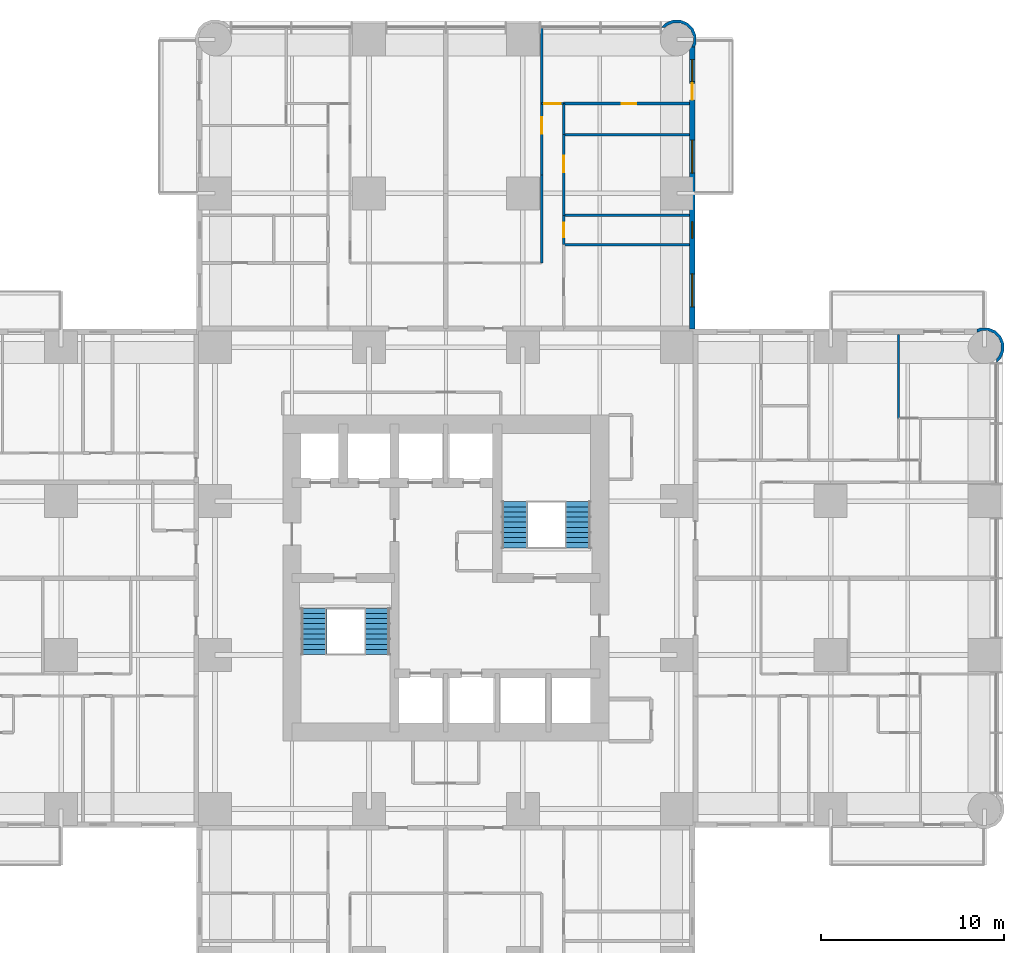
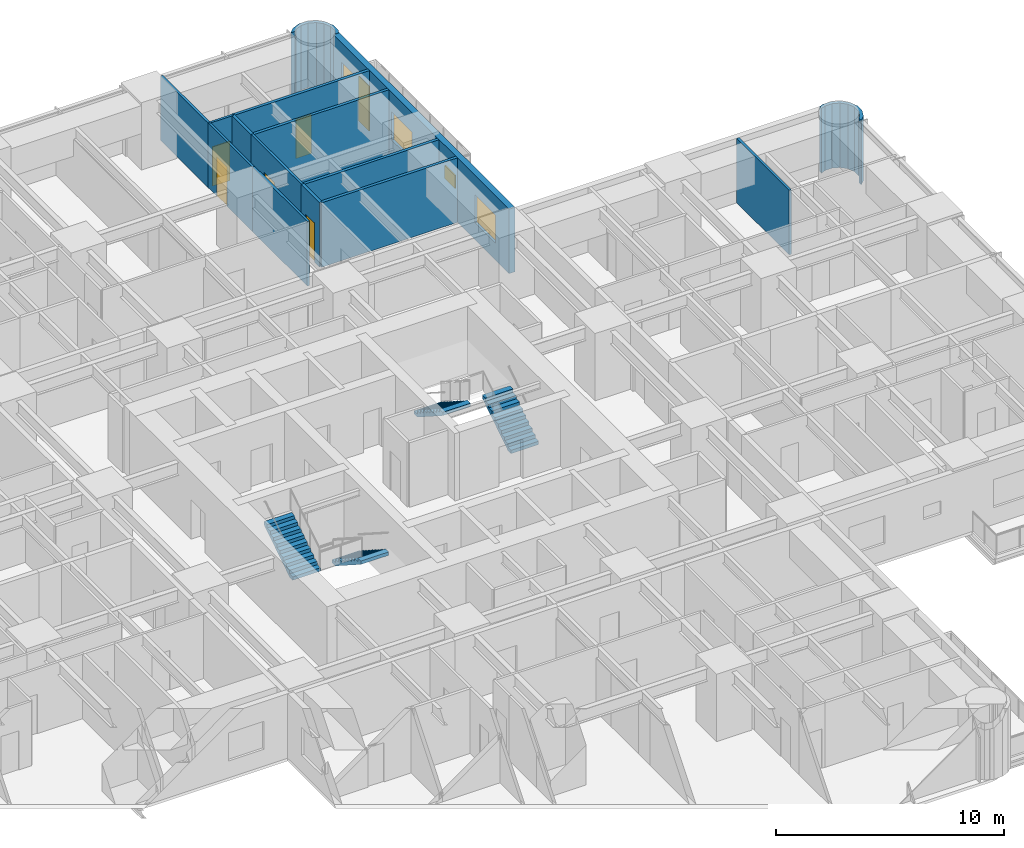
# One storey, part 15 of 17: 15 walls, 6 doors, 4 stair flights, 4 windows, 10 openings, 2 elements without a shape of their own.
"""IFC4 building model written with IfcOpenShell, lengths in metres."""

from ifc_helpers import new_model, si_unit, direction, frame, frame_2d, origin, place, context, subcontext, project, spatial, polyline, rectangle, outline, extrude, material, layer, layer_set, type_object, element, fill, aggregate, save


model = new_model("IFC4")

# Units and contexts
model_context = context("Model", 3, precision=1e-05, world=origin(), true_north=direction((0.0, 1.0)))
body_context = subcontext(model_context, "Body", "Model", "MODEL_VIEW")
ifc_project = project(units=[si_unit("LENGTHUNIT", "METRE"), si_unit("AREAUNIT", "SQUARE_METRE"), si_unit("VOLUMEUNIT", "CUBIC_METRE"), si_unit("PLANEANGLEUNIT", "RADIAN"), si_unit("MASSUNIT", "GRAM", prefix="KILO")], contexts=[model_context])

# Site, building, storey
site_placement = place(None, origin())
site = spatial("IfcSite", under=ifc_project, at=site_placement, CompositionType="ELEMENT")
building_placement = place(site_placement, origin())
building = spatial("IfcBuilding", under=site, at=building_placement, Name="Torre Alcanfor", CompositionType="ELEMENT")
storey_placement = place(building_placement, frame((0.0, 0.0, 48.89990234375)))
storey = spatial("IfcBuildingStorey", under=building, at=storey_placement, Name="L11", CompositionType="ELEMENT", Elevation=48.89990234375)

# Wall
ifc_material_1 = material(Name="Gypsum board on steel studs", Category="steel")
ifc_layer_1 = layer(ifc_material_1, 0.1201171875)
ifc_layer_set_1 = layer_set([ifc_layer_1], Name="Apartment partition 120")
wall_type_1 = type_object("IfcWallType", Name="Apartment partition 120", PredefinedType="PARTITIONING", material=ifc_layer_set_1)
wall_1_placement = place(storey_placement, frame((34.62890625, 51.39990234375, 0.0), z_axis=(0.0, 0.0, 1.0), x_axis=(0.0, -1.0, 0.0)))
element("IfcWall", 1, at=wall_1_placement, inside=storey, type_object=wall_type_1, Name="Partition L11-N2-KITCHEN / L11-N2-HALL", PredefinedType="PARTITIONING", context=body_context, shape_type="SweptSolid", body=[
    extrude(rectangle(XDim=4.7998046875, YDim=0.1201171875, at=frame_2d((2.39990234375, 0.0))), origin(), (0.0, 0.0, 1.0), 3.4501953125),
])

# Wall, opening, door
wall_2_placement = place(storey_placement, frame((34.62890625, 55.300048828125, 0.0), z_axis=(0.0, 0.0, 1.0), x_axis=(0.0, -1.0, 0.0)))
wall_2 = element("IfcWall", 2, at=wall_2_placement, inside=storey, type_object=wall_type_1, Name="Partition L11-N2-LIVING / L11-N2-HALL", PredefinedType="PARTITIONING", context=body_context, shape_type="SweptSolid", body=[
    extrude(rectangle(XDim=3.900146484375, YDim=0.1201171875, at=frame_2d((1.9501953125, 0.0))), origin(), (0.0, 0.0, 1.0), 3.4501953125),
])
opening_1_placement = place(wall_2_placement, frame((0.75, 0.0, 0.0)))
opening_1 = element("IfcOpeningElement", 3, at=opening_1_placement, cuts=wall_2, Name="Opening D-R1", PredefinedType="OPENING", context=body_context, shape_type="SweptSolid", body=[
    extrude(rectangle(XDim=0.89990234375, YDim=2.10009765625, at=frame_2d((0.449951171875, 1.050048828125))), frame((0.0, 0.070068359375, 0.0), z_axis=(0.0, -1.0, 0.0), x_axis=(1.0, 0.0, 0.0)), (0.0, 0.0, 1.0), 0.14013671875),
])
ifc_material_2 = material(Name="Timber", Category="wood")
door_type_1 = type_object("IfcDoorType", Name="Internal door 900x2100", OperationType="SINGLE_SWING_LEFT", PredefinedType="DOOR", material=ifc_material_2)
door_1_placement = place(opening_1_placement, frame((0.89990234375, 0.0, 0.0), z_axis=(0.0, 0.0, 1.0), x_axis=(-1.0, 0.0, 0.0)))
door_1 = element("IfcDoor", 4, at=door_1_placement, inside=storey, type_object=door_type_1, Name="Door L11-N2 living", OperationType="SINGLE_SWING_LEFT", OverallHeight=2.10009765625, OverallWidth=0.89990234375, PredefinedType="DOOR", context=body_context, shape_type="SweptSolid", body=[
    extrude(rectangle(XDim=0.89990234375, YDim=2.10009765625, at=frame_2d((0.449951171875, 1.050048828125))), frame((0.0, 0.025146484375, 0.0), z_axis=(0.0, -1.0, 0.0), x_axis=(1.0, 0.0, 0.0)), (0.0, 0.0, 1.0), 0.050048828125),
])
fill(opening_1, door_1)

# Wall
wall_3_placement = place(storey_placement, frame((34.62890625, 59.449951171875, 0.0), z_axis=(0.0, 0.0, 1.0), x_axis=(0.0, -1.0, 0.0)))
element("IfcWall", 5, at=wall_3_placement, inside=storey, type_object=wall_type_1, Name="Partition L11-N2-LIVING / L11-N2-MASTER", PredefinedType="PARTITIONING", context=body_context, shape_type="SweptSolid", body=[
    extrude(rectangle(XDim=4.14990234375, YDim=0.1201171875, at=frame_2d((2.074951171875, 0.0))), origin(), (0.0, 0.0, 1.0), 3.4501953125),
])

# Wall, opening, door
wall_4_placement = place(storey_placement, frame((35.8291015625, 53.60009765625, 0.0), z_axis=(0.0, 0.0, 1.0), x_axis=(0.0, -1.0, 0.0)))
wall_4 = element("IfcWall", 6, at=wall_4_placement, inside=storey, type_object=wall_type_1, Name="Partition L11-N2-HALL / L11-N2-BED2", PredefinedType="PARTITIONING", context=body_context, shape_type="SweptSolid", body=[
    extrude(rectangle(XDim=4.400146484375, YDim=0.1201171875, at=frame_2d((2.2001953125, 0.0))), origin(), (0.0, 0.0, 1.0), 3.4501953125),
])
opening_2_placement = place(wall_4_placement, frame((1.14990234375, 0.0, 0.0)))
opening_2 = element("IfcOpeningElement", 7, at=opening_2_placement, cuts=wall_4, Name="Opening D-R1", PredefinedType="OPENING", context=body_context, shape_type="SweptSolid", body=[
    extrude(rectangle(XDim=0.89990234375, YDim=2.10009765625, at=frame_2d((0.449951171875, 1.050048828125))), frame((0.0, 0.070068359375, 0.0), z_axis=(0.0, -1.0, 0.0), x_axis=(1.0, 0.0, 0.0)), (0.0, 0.0, 1.0), 0.14013671875),
])
door_2_placement = place(opening_2_placement, origin())
door_2 = element("IfcDoor", 8, at=door_2_placement, inside=storey, type_object=door_type_1, Name="Door L11-N2 bed2", OperationType="SINGLE_SWING_LEFT", OverallHeight=2.10009765625, OverallWidth=0.89990234375, PredefinedType="DOOR", context=body_context, shape_type="SweptSolid", body=[
    extrude(rectangle(XDim=0.89990234375, YDim=2.10009765625, at=frame_2d((0.449951171875, 1.050048828125))), frame((0.0, 0.02490234375, 0.0), z_axis=(0.0, -1.0, 0.0), x_axis=(1.0, 0.0, 0.0)), (0.0, 0.0, 1.0), 0.050048828125),
])
fill(opening_2, door_2)

wall_5_placement = place(storey_placement, frame((34.62890625, 55.300048828125, 0.0), z_axis=(0.0, 0.0, 1.0), x_axis=(1.0, 0.0, 0.0)))
wall_5 = element("IfcWall", 9, at=wall_5_placement, inside=storey, type_object=wall_type_1, Name="Partition L11-N2-HALL / L11-N2-MASTER", PredefinedType="PARTITIONING", context=body_context, shape_type="SweptSolid", body=[
    extrude(rectangle(XDim=1.2001953125, YDim=0.1201171875, at=frame_2d((0.60009765625, 0.0))), origin(), (0.0, 0.0, 1.0), 3.4501953125),
])
opening_3_placement = place(wall_5_placement, frame((0.15087890625, 0.0, 0.0)))
opening_3 = element("IfcOpeningElement", 10, at=opening_3_placement, cuts=wall_5, Name="Opening D-R1", PredefinedType="OPENING", context=body_context, shape_type="SweptSolid", body=[
    extrude(rectangle(XDim=0.89990234375, YDim=2.10009765625, at=frame_2d((0.449951171875, 1.050048828125))), frame((0.0, 0.070068359375, 0.0), z_axis=(0.0, -1.0, 0.0), x_axis=(1.0, 0.0, 0.0)), (0.0, 0.0, 1.0), 0.14013671875),
])
door_3_placement = place(opening_3_placement, origin())
door_3 = element("IfcDoor", 11, at=door_3_placement, inside=storey, type_object=door_type_1, Name="Door L11-N2 master", OperationType="SINGLE_SWING_LEFT", OverallHeight=2.10009765625, OverallWidth=0.89990234375, PredefinedType="DOOR", context=body_context, shape_type="SweptSolid", body=[
    extrude(rectangle(XDim=0.89990234375, YDim=2.10009765625, at=frame_2d((0.449951171875, 1.050048828125))), frame((0.0, 0.02490234375, 0.0), z_axis=(0.0, -1.0, 0.0), x_axis=(1.0, 0.0, 0.0)), (0.0, 0.0, 1.0), 0.050048828125),
])
fill(opening_3, door_3)

# Wall
wall_6_placement = place(storey_placement, frame((54.10009765625, 38.114013671875, 0.0), z_axis=(0.0, 0.0, 1.0), x_axis=(0.0, 1.0, 0.0)))
element("IfcWall", 12, at=wall_6_placement, inside=storey, type_object=wall_type_1, Name="Partition L11-E1-BED3 / L11-E1-MASTER", PredefinedType="PARTITIONING", context=body_context, shape_type="SweptSolid", body=[
    extrude(rectangle(XDim=4.5859375, YDim=0.1201171875, at=frame_2d((2.29296875, 0.0))), origin(), (0.0, 0.0, 1.0), 3.4501953125),
])

# Wall, openings, door, windows
ifc_material_3 = material(Name="Limestone cladding", Category="masonry")
ifc_layer_2 = layer(ifc_material_3, 0.0400390625, Name="Facing")
ifc_material_4 = material(Name="Ventilated air cavity")
ifc_layer_3 = layer(ifc_material_4, 0.02001953125, ventilated=True, Name="Ventilated joint")
ifc_material_5 = material(Name="Mineral wool insulation", Category="insulation")
ifc_layer_4 = layer(ifc_material_5, 0.10009765625, Name="Insulation")
ifc_material_6 = material(Name="Concrete f'c 35 MPa", Category="concrete")
ifc_layer_5 = layer(ifc_material_6, 0.139892578125, Name="Backing")
ifc_layer_set_2 = layer_set([ifc_layer_2, ifc_layer_3, ifc_layer_4, ifc_layer_5], Name="External wall stone-clad 300")
wall_type_2 = type_object("IfcWallType", Name="External wall stone-clad 300", PredefinedType="SOLIDWALL", material=ifc_layer_set_2)
wall_7_placement = place(storey_placement, frame((42.85009765625, 43.0, 0.0), z_axis=(0.0, 0.0, 1.0), x_axis=(0.0, 1.0, 0.0)))
wall_7 = element("IfcWall", 13, at=wall_7_placement, inside=storey, type_object=wall_type_2, Name="External wall L11 10", PredefinedType="SOLIDWALL", context=body_context, shape_type="SweptSolid", body=[
    extrude(rectangle(XDim=15.39990234375, YDim=0.300048828125, at=frame_2d((7.699951171875, 0.0))), origin(), (0.0, 0.0, 1.0), 3.4501953125),
])
opening_4_placement = place(wall_7_placement, frame((1.199951171875, 0.0, 0.89990234375)))
opening_4 = element("IfcOpeningElement", 14, at=opening_4_placement, cuts=wall_7, Name="Opening W2", PredefinedType="OPENING", context=body_context, shape_type="SweptSolid", body=[
    extrude(rectangle(XDim=1.800048828125, YDim=1.5, at=frame_2d((0.89990234375, 0.75))), frame((0.0, 0.159912109375, 0.0), z_axis=(0.0, -1.0, 0.0), x_axis=(1.0, 0.0, 0.0)), (0.0, 0.0, 1.0), 0.320068359375),
])
opening_5_placement = place(wall_7_placement, frame((4.949951171875, 0.0, 1.5)))
opening_5 = element("IfcOpeningElement", 15, at=opening_5_placement, cuts=wall_7, Name="Opening W3", PredefinedType="OPENING", context=body_context, shape_type="SweptSolid", body=[
    extrude(rectangle(XDim=0.89990234375, YDim=0.699951171875, at=frame_2d((0.449951171875, 0.35009765625))), frame((0.0, 0.159912109375, 0.0), z_axis=(0.0, -1.0, 0.0), x_axis=(1.0, 0.0, 0.0)), (0.0, 0.0, 1.0), 0.320068359375),
])
opening_6_placement = place(wall_7_placement, frame((8.5, 0.0, 0.89990234375)))
opening_6 = element("IfcOpeningElement", 16, at=opening_6_placement, cuts=wall_7, Name="Opening W2", PredefinedType="OPENING", context=body_context, shape_type="SweptSolid", body=[
    extrude(rectangle(XDim=1.800048828125, YDim=1.5, at=frame_2d((0.89990234375, 0.75))), frame((0.0, 0.159912109375, 0.0), z_axis=(0.0, -1.0, 0.0), x_axis=(1.0, 0.0, 0.0)), (0.0, 0.0, 1.0), 0.320068359375),
])
opening_7_placement = place(wall_7_placement, frame((12.5, 0.0, 0.0)))
opening_7 = element("IfcOpeningElement", 17, at=opening_7_placement, cuts=wall_7, Name="Opening D-B1", PredefinedType="OPENING", context=body_context, shape_type="SweptSolid", body=[
    extrude(rectangle(XDim=0.89990234375, YDim=2.39990234375, at=frame_2d((0.449951171875, 1.199951171875))), frame((0.0, 0.159912109375, 0.0), z_axis=(0.0, -1.0, 0.0), x_axis=(1.0, 0.0, 0.0)), (0.0, 0.0, 1.0), 0.320068359375),
])
opening_8_placement = place(wall_7_placement, frame((13.5, 0.0, 0.89990234375)))
opening_8 = element("IfcOpeningElement", 18, at=opening_8_placement, cuts=wall_7, Name="Opening W4", PredefinedType="OPENING", context=body_context, shape_type="SweptSolid", body=[
    extrude(rectangle(XDim=1.199951171875, YDim=1.5, at=frame_2d((0.60009765625, 0.75))), frame((0.0, 0.159912109375, 0.0), z_axis=(0.0, -1.0, 0.0), x_axis=(1.0, 0.0, 0.0)), (0.0, 0.0, 1.0), 0.320068359375),
])
ifc_material_7 = material(Name="Aluminium and glass", Category="aluminium")
door_type_2 = type_object("IfcDoorType", Name="Balcony door glazed 900x2400", OperationType="SINGLE_SWING_LEFT", PredefinedType="DOOR", material=ifc_material_7)
door_4_placement = place(opening_7_placement, origin())
door_4 = element("IfcDoor", 19, at=door_4_placement, inside=storey, type_object=door_type_2, Name="Balcony door L11-N2", OperationType="SINGLE_SWING_LEFT", OverallHeight=2.39990234375, OverallWidth=0.89990234375, PredefinedType="DOOR", context=body_context, shape_type="SweptSolid", body=[
    extrude(rectangle(XDim=0.89990234375, YDim=2.39990234375, at=frame_2d((0.449951171875, 1.199951171875))), frame((0.0, 0.02490234375, 0.0), z_axis=(0.0, -1.0, 0.0), x_axis=(1.0, 0.0, 0.0)), (0.0, 0.0, 1.0), 0.050048828125),
])
fill(opening_7, door_4)
ifc_material_8 = material(Name="Aluminium frame with clear double glazing", Category="aluminium")
window_type_1 = type_object("IfcWindowType", Name="Window bathroom 900x700", PartitioningType="SINGLE_PANEL", PredefinedType="WINDOW", material=ifc_material_8)
window_1_placement = place(opening_5_placement, origin())
window_1 = element("IfcWindow", 20, at=window_1_placement, inside=storey, type_object=window_type_1, Name="Window W3 L11-N2", OverallHeight=0.699951171875, OverallWidth=0.89990234375, PartitioningType="SINGLE_PANEL", PredefinedType="WINDOW", context=body_context, shape_type="SweptSolid", body=[
    extrude(rectangle(XDim=0.89990234375, YDim=0.699951171875, at=frame_2d((0.449951171875, 0.35009765625))), frame((0.0, 0.030029296875, 0.0), z_axis=(0.0, -1.0, 0.0), x_axis=(1.0, 0.0, 0.0)), (0.0, 0.0, 1.0), 0.06005859375),
])
fill(opening_5, window_1)
ifc_material_9 = material(Name="Aluminium frame with clear double glazing", Category="aluminium")
window_type_2 = type_object("IfcWindowType", Name="Window bedroom 1200x1500", PartitioningType="SINGLE_PANEL", PredefinedType="WINDOW", material=ifc_material_9)
window_2_placement = place(opening_8_placement, origin())
window_2 = element("IfcWindow", 21, at=window_2_placement, inside=storey, type_object=window_type_2, Name="Window W4 L11-N2", OverallHeight=1.5, OverallWidth=1.199951171875, PartitioningType="SINGLE_PANEL", PredefinedType="WINDOW", context=body_context, shape_type="SweptSolid", body=[
    extrude(rectangle(XDim=1.199951171875, YDim=1.5, at=frame_2d((0.60009765625, 0.75))), frame((0.0, 0.030029296875, 0.0), z_axis=(0.0, -1.0, 0.0), x_axis=(1.0, 0.0, 0.0)), (0.0, 0.0, 1.0), 0.06005859375),
])
fill(opening_8, window_2)
ifc_material_10 = material(Name="Aluminium frame with clear double glazing", Category="aluminium")
window_type_3 = type_object("IfcWindowType", Name="Window bedroom 1800x1500", PartitioningType="SINGLE_PANEL", PredefinedType="WINDOW", material=ifc_material_10)
window_3_placement = place(opening_4_placement, origin())
window_3 = element("IfcWindow", 22, at=window_3_placement, inside=storey, type_object=window_type_3, Name="Window W2 L11-N2", OverallHeight=1.5, OverallWidth=1.800048828125, PartitioningType="SINGLE_PANEL", PredefinedType="WINDOW", context=body_context, shape_type="SweptSolid", body=[
    extrude(rectangle(XDim=1.800048828125, YDim=1.5, at=frame_2d((0.89990234375, 0.75))), frame((0.0, 0.030029296875, 0.0), z_axis=(0.0, -1.0, 0.0), x_axis=(1.0, 0.0, 0.0)), (0.0, 0.0, 1.0), 0.06005859375),
])
fill(opening_4, window_3)
window_4_placement = place(opening_6_placement, origin())
window_4 = element("IfcWindow", 23, at=window_4_placement, inside=storey, type_object=window_type_3, Name="Window W2 L11-N2", OverallHeight=1.5, OverallWidth=1.800048828125, PartitioningType="SINGLE_PANEL", PredefinedType="WINDOW", context=body_context, shape_type="SweptSolid", body=[
    extrude(rectangle(XDim=1.800048828125, YDim=1.5, at=frame_2d((0.89990234375, 0.75))), frame((0.0, 0.030029296875, 0.0), z_axis=(0.0, -1.0, 0.0), x_axis=(1.0, 0.0, 0.0)), (0.0, 0.0, 1.0), 0.06005859375),
])
fill(opening_6, window_4)

# Walls
ifc_layer_6 = layer(ifc_material_3, 0.0400390625, Name="Facing")
ifc_layer_7 = layer(ifc_material_4, 0.02001953125, ventilated=True, Name="Ventilated joint")
ifc_layer_8 = layer(ifc_material_5, 0.10009765625, Name="Insulation")
ifc_layer_9 = layer(ifc_material_6, 0.139892578125, Name="Backing")
ifc_layer_set_3 = layer_set([ifc_layer_6, ifc_layer_7, ifc_layer_8, ifc_layer_9], Name="Rounded corner pier stone-clad 300")
wall_type_3 = type_object("IfcWallType", Name="Rounded corner pier stone-clad 300", PredefinedType="SOLIDWALL", material=ifc_layer_set_3)
wall_8_placement = place(storey_placement, frame((59.410519256, 41.23340608, 0.0), z_axis=(0.0, 0.0, 1.0), x_axis=(0.926129809145, 0.377204953059, 0.0)))
element("IfcWall", 24, at=wall_8_placement, inside=storey, type_object=wall_type_3, Name="Corner pier L11 18", PredefinedType="SOLIDWALL", context=body_context, shape_type="SweptSolid", body=[
    extrude(outline(polyline([(0.6260654471319579, 0.34524919711057256), (0.7850146045978224, 0.7355079985228963), (0.7823098124660501, 1.1573373086599013), (0.6187697625812524, 1.546081906916958), (0.31877691555394516, 1.8425152342918512), (-0.07170799176881437, 2.0015564828107086), (-0.24004949470661174, 2.000526523212158), (-0.2695944713928893, 2.0173049949130335), (-0.36998902843916337, 1.8407134525266757), (-0.10235758996356603, 1.8421635923174307), (0.22956588655630128, 1.7069739265237522), (0.4845024203782949, 1.4552530429107593), (0.6236098424040335, 1.1249645948716174), (0.6257138051575375, 0.7663837026280839), (0.49052413936385914, 0.43446022610821644), (0.23848505878743742, 0.1793896774287799), (0.09020527382959523, 0.11693875386038477), (0.010914877202648991, -0.0777384350249053), (0.02448123182880161, -0.08326389820448342), (0.32940601384662893, 0.045348441136258355), (0.47997135267738844, 0.19755163478368112), (0.49907282709518125, 0.19267151555903828), (0.5076193949673722, 0.22530566424262682), (0.6260654471319579, 0.34524919711057256)])), origin(), (0.0, 0.0, 1.0), 3.4501953125),
])
wall_9_placement = place(storey_placement, frame((42.909907157, 58.436037137, 0.0), z_axis=(0.0, 0.0, 1.0), x_axis=(0.377204953059, 0.926129809145, 0.0)))
element("IfcWall", 25, at=wall_9_placement, inside=storey, type_object=wall_type_3, Name="Corner pier L11 19", PredefinedType="SOLIDWALL", context=body_context, shape_type="SweptSolid", body=[
    extrude(outline(polyline([(0.7691852559267269, 1.7275655888693722), (0.7500837815089341, 1.7226854696447296), (0.5995184426781746, 1.8748886632921522), (0.2945936606603473, 2.0035010026328943), (0.2810273060341947, 1.997975539453316), (0.36031770266114094, 1.803298350568026), (0.5085974876189833, 1.7408474269996308), (0.7606365681954048, 1.4857768783201941), (0.8958262339890831, 1.1538534018003268), (0.8937222712355792, 0.7952725095567933), (0.7546148492098406, 0.46498406151765126), (0.499678315387847, 0.21326317790465843), (0.16775483886797962, 0.07807351211098004), (-0.09987659960761772, 0.07952365190173498), (0.0005179574386563676, -0.09706789048462287), (0.030062934124933945, -0.08028941878374739), (0.19840443706273136, -0.08131937838229769), (0.5888893443854909, 0.07772187013655965), (0.888882191412798, 0.3741551975114527), (1.0524222412975957, 0.7628997957685094), (1.0551270334293679, 1.1847291059055145), (0.8961778759635035, 1.5749879073178383), (0.7777318237989179, 1.6949314401857838), (0.7691852559267269, 1.7275655888693722)])), origin(), (0.0, 0.0, 1.0), 3.4501953125),
])

# Wall, opening, door
ifc_material_11 = material(Name="Cement board on steel studs", Category="steel")
ifc_layer_10 = layer(ifc_material_11, 0.14990234375)
ifc_layer_set_4 = layer_set([ifc_layer_10], Name="Wet area partition 150")
wall_type_4 = type_object("IfcWallType", Name="Wet area partition 150", PredefinedType="PARTITIONING", material=ifc_layer_set_4)
wall_10_placement = place(storey_placement, frame((35.8291015625, 49.199951171875, 0.0), z_axis=(0.0, 0.0, 1.0), x_axis=(0.0, -1.0, 0.0)))
wall_10 = element("IfcWall", 26, at=wall_10_placement, inside=storey, type_object=wall_type_4, Name="Partition L11-N2-HALL / L11-N2-BATH1", PredefinedType="PARTITIONING", context=body_context, shape_type="SweptSolid", body=[
    extrude(rectangle(XDim=1.599853515625, YDim=0.14990234375, at=frame_2d((0.7998046875, 0.0))), origin(), (0.0, 0.0, 1.0), 3.4501953125),
])
opening_9_placement = place(wall_10_placement, frame((0.39990234375, 0.0, 0.0)))
opening_9 = element("IfcOpeningElement", 27, at=opening_9_placement, cuts=wall_10, Name="Opening D-R2", PredefinedType="OPENING", context=body_context, shape_type="SweptSolid", body=[
    extrude(rectangle(XDim=0.800048828125, YDim=2.10009765625, at=frame_2d((0.39990234375, 1.050048828125))), frame((0.0, 0.0849609375, 0.0), z_axis=(0.0, -1.0, 0.0), x_axis=(1.0, 0.0, 0.0)), (0.0, 0.0, 1.0), 0.169921875),
])
ifc_material_12 = material(Name="Timber", Category="wood")
door_type_3 = type_object("IfcDoorType", Name="Bathroom door 800x2100", OperationType="SINGLE_SWING_LEFT", PredefinedType="DOOR", material=ifc_material_12)
door_5_placement = place(opening_9_placement, origin())
door_5 = element("IfcDoor", 28, at=door_5_placement, inside=storey, type_object=door_type_3, Name="Door L11-N2 bath1", OperationType="SINGLE_SWING_LEFT", OverallHeight=2.10009765625, OverallWidth=0.800048828125, PredefinedType="DOOR", context=body_context, shape_type="SweptSolid", body=[
    extrude(rectangle(XDim=0.800048828125, YDim=2.10009765625, at=frame_2d((0.39990234375, 1.050048828125))), frame((0.0, 0.02490234375, 0.0), z_axis=(0.0, -1.0, 0.0), x_axis=(1.0, 0.0, 0.0)), (0.0, 0.0, 1.0), 0.050048828125),
])
fill(opening_9, door_5)

# Walls
wall_11_placement = place(storey_placement, frame((35.8291015625, 55.300048828125, 0.0), z_axis=(0.0, 0.0, 1.0), x_axis=(0.0, -1.0, 0.0)))
element("IfcWall", 29, at=wall_11_placement, inside=storey, type_object=wall_type_4, Name="Partition L11-N2-HALL / L11-N2-ENSBATH", PredefinedType="PARTITIONING", context=body_context, shape_type="SweptSolid", body=[
    extrude(rectangle(XDim=1.699951171875, YDim=0.14990234375, at=frame_2d((0.85009765625, 0.0))), origin(), (0.0, 0.0, 1.0), 3.4501953125),
])
for number, where, z_axis, x_axis, name in (
    (30, (35.8291015625, 47.60009765625, 0.0), (0.0, 0.0, 1.0), (1.0, 0.0, 0.0), "Partition L11-N2-BED3 / L11-N2-BATH1"),
    (31, (35.8291015625, 49.199951171875, 0.0), (0.0, 0.0, 1.0), (1.0, 0.0, 0.0), "Partition L11-N2-BATH1 / L11-N2-BED2"),
    (32, (35.8291015625, 53.60009765625, 0.0), (0.0, 0.0, 1.0), (1.0, 0.0, 0.0), "Partition L11-N2-BED2 / L11-N2-ENSBATH"),
):
    element("IfcWall", number, at=place(storey_placement, frame(where, z_axis=z_axis, x_axis=x_axis)), inside=storey, type_object=wall_type_4, Name=name, PredefinedType="PARTITIONING", context=body_context, shape_type="SweptSolid", body=[
        extrude(rectangle(XDim=6.870849609375, YDim=0.14990234375, at=frame_2d((3.435546875, 0.0))), origin(), (0.0, 0.0, 1.0), 3.4501953125),
    ])

# Wall, opening, door
wall_12_placement = place(storey_placement, frame((35.8291015625, 55.300048828125, 0.0), z_axis=(0.0, 0.0, 1.0), x_axis=(1.0, 0.0, 0.0)))
wall_12 = element("IfcWall", 33, at=wall_12_placement, inside=storey, type_object=wall_type_4, Name="Partition L11-N2-ENSBATH / L11-N2-MASTER", PredefinedType="PARTITIONING", context=body_context, shape_type="SweptSolid", body=[
    extrude(rectangle(XDim=6.870849609375, YDim=0.14990234375, at=frame_2d((3.435546875, 0.0))), origin(), (0.0, 0.0, 1.0), 3.4501953125),
])
opening_10_placement = place(wall_12_placement, frame((3.1708984375, 0.0, 0.0)))
opening_10 = element("IfcOpeningElement", 34, at=opening_10_placement, cuts=wall_12, Name="Opening D-R2", PredefinedType="OPENING", context=body_context, shape_type="SweptSolid", body=[
    extrude(rectangle(XDim=0.800048828125, YDim=2.10009765625, at=frame_2d((0.39990234375, 1.050048828125))), frame((0.0, 0.0849609375, 0.0), z_axis=(0.0, -1.0, 0.0), x_axis=(1.0, 0.0, 0.0)), (0.0, 0.0, 1.0), 0.169921875),
])
door_6_placement = place(opening_10_placement, frame((0.800048828125, 0.0, 0.0), z_axis=(0.0, 0.0, 1.0), x_axis=(-1.0, 0.0, 0.0)))
door_6 = element("IfcDoor", 35, at=door_6_placement, inside=storey, type_object=door_type_3, Name="Door L11-N2 ensbath", OperationType="SINGLE_SWING_LEFT", OverallHeight=2.10009765625, OverallWidth=0.800048828125, PredefinedType="DOOR", context=body_context, shape_type="SweptSolid", body=[
    extrude(rectangle(XDim=0.800048828125, YDim=2.10009765625, at=frame_2d((0.400146484375, 1.050048828125))), frame((0.0, 0.025146484375, 0.0), z_axis=(0.0, -1.0, 0.0), x_axis=(1.0, 0.0, 0.0)), (0.0, 0.0, 1.0), 0.050048828125),
])
fill(opening_10, door_6)

# Stair, stair flights
ifc_material_13 = material(Name="Concrete f'c 35 MPa", Category="concrete")
stair_type_1 = type_object("IfcStairType", Name="Exit stair S1 1400 wide", PredefinedType="HALF_TURN_STAIR", material=ifc_material_13)
stair_1_placement = place(storey_placement, origin())
stair_1 = element("IfcStair", 36, at=stair_1_placement, inside=storey, type_object=stair_type_1, Name="Stair S1 L11 to L12", PredefinedType="HALF_TURN_STAIR")
ifc_material_14 = material(Name="Concrete f'c 35 MPa", Category="concrete")
stair_flight_type = type_object("IfcStairFlightType", Name="Stair flight 1400", PredefinedType="STRAIGHT", material=ifc_material_14)
stair_flight_1_placement = place(storey_placement, frame((25.64990234375, 27.75, 0.0), z_axis=(0.0, 0.0, 1.0), x_axis=(0.0, -1.0, 0.0)))
stair_flight_1 = element("IfcStairFlight", 37, at=stair_flight_1_placement, type_object=stair_flight_type, Name="S1 flight 1", NumberOfRisers=10, NumberOfTreads=9, PredefinedType="STRAIGHT", RiserHeight=0.18, TreadLength=0.28, context=body_context, shape_type="SweptSolid", body=[
    extrude(outline(polyline([(0.0, 0.0), (0.0, 0.179931640625), (0.280029296875, 0.179931640625), (0.280029296875, 0.360107421875), (0.56005859375, 0.360107421875), (0.56005859375, 0.5400390625), (0.840087890625, 0.5400390625), (0.840087890625, 0.719970703125), (1.1201171875, 0.719970703125), (1.1201171875, 0.89990234375), (1.39990234375, 0.89990234375), (1.39990234375, 1.080078125), (1.679931640625, 1.080078125), (1.679931640625, 1.260009765625), (1.9599609375, 1.260009765625), (1.9599609375, 1.43994140625), (2.239990234375, 1.43994140625), (2.239990234375, 1.6201171875), (2.52001953125, 1.6201171875), (2.52001953125, 1.800048828125), (2.52001953125, 1.44189453125), (0.277099609375, 0.0), (0.0, 0.0)])), frame((0.0, 0.699951171875, 0.0), z_axis=(0.0, -1.0, 0.0), x_axis=(1.0, 0.0, 0.0)), (0.0, 0.0, 1.0), 1.39990234375),
])
stair_flight_2_placement = place(storey_placement, frame((22.199951171875, 25.22998046875, 1.800048828125), z_axis=(0.0, 0.0, 1.0), x_axis=(0.0, 1.0, 0.0)))
stair_flight_2 = element("IfcStairFlight", 38, at=stair_flight_2_placement, type_object=stair_flight_type, Name="S1 flight 2", NumberOfRisers=10, NumberOfTreads=9, PredefinedType="STRAIGHT", RiserHeight=0.18, TreadLength=0.28, context=body_context, shape_type="SweptSolid", body=[
    extrude(outline(polyline([(0.0, 0.0), (0.0, 0.179931640625), (0.280029296875, 0.179931640625), (0.280029296875, 0.360107421875), (0.56005859375, 0.360107421875), (0.56005859375, 0.5400390625), (0.840087890625, 0.5400390625), (0.840087890625, 0.719970703125), (1.1201171875, 0.719970703125), (1.1201171875, 0.89990234375), (1.39990234375, 0.89990234375), (1.39990234375, 1.080078125), (1.679931640625, 1.080078125), (1.679931640625, 1.260009765625), (1.9599609375, 1.260009765625), (1.9599609375, 1.43994140625), (2.239990234375, 1.43994140625), (2.239990234375, 1.6201171875), (2.52001953125, 1.6201171875), (2.52001953125, 1.800048828125), (2.52001953125, 1.44189453125), (0.277099609375, 0.0), (0.0, 0.0)])), frame((0.0, 0.699951171875, 0.0), z_axis=(0.0, -1.0, 0.0), x_axis=(1.0, 0.0, 0.0)), (0.0, 0.0, 1.0), 1.39990234375),
])
aggregate(stair_1, [stair_flight_1, stair_flight_2])

ifc_material_15 = material(Name="Concrete f'c 35 MPa", Category="concrete")
stair_type_2 = type_object("IfcStairType", Name="Exit stair S2 1400 wide", PredefinedType="HALF_TURN_STAIR", material=ifc_material_15)
stair_2_placement = place(storey_placement, origin())
stair_2 = element("IfcStair", 39, at=stair_2_placement, inside=storey, type_object=stair_type_2, Name="Stair S2 L11 to L12", PredefinedType="HALF_TURN_STAIR")
stair_flight_3_placement = place(storey_placement, frame((36.60009765625, 31.050048828125, 0.0), z_axis=(0.0, 0.0, 1.0), x_axis=(0.0, 1.0, 0.0)))
stair_flight_3 = element("IfcStairFlight", 40, at=stair_flight_3_placement, type_object=stair_flight_type, Name="S2 flight 1", NumberOfRisers=10, NumberOfTreads=9, PredefinedType="STRAIGHT", RiserHeight=0.18, TreadLength=0.28, context=body_context, shape_type="SweptSolid", body=[
    extrude(outline(polyline([(0.0, 0.0), (0.0, 0.179931640625), (0.280029296875, 0.179931640625), (0.280029296875, 0.360107421875), (0.56005859375, 0.360107421875), (0.56005859375, 0.5400390625), (0.840087890625, 0.5400390625), (0.840087890625, 0.719970703125), (1.1201171875, 0.719970703125), (1.1201171875, 0.89990234375), (1.39990234375, 0.89990234375), (1.39990234375, 1.080078125), (1.679931640625, 1.080078125), (1.679931640625, 1.260009765625), (1.9599609375, 1.260009765625), (1.9599609375, 1.43994140625), (2.239990234375, 1.43994140625), (2.239990234375, 1.6201171875), (2.52001953125, 1.6201171875), (2.52001953125, 1.800048828125), (2.52001953125, 1.44189453125), (0.277099609375, 0.0), (0.0, 0.0)])), frame((0.0, 0.699951171875, 0.0), z_axis=(0.0, -1.0, 0.0), x_axis=(1.0, 0.0, 0.0)), (0.0, 0.0, 1.0), 1.39990234375),
])
stair_flight_4_placement = place(storey_placement, frame((33.14990234375, 33.570068359375, 1.800048828125), z_axis=(0.0, 0.0, 1.0), x_axis=(0.0, -1.0, 0.0)))
stair_flight_4 = element("IfcStairFlight", 41, at=stair_flight_4_placement, type_object=stair_flight_type, Name="S2 flight 2", NumberOfRisers=10, NumberOfTreads=9, PredefinedType="STRAIGHT", RiserHeight=0.18, TreadLength=0.28, context=body_context, shape_type="SweptSolid", body=[
    extrude(outline(polyline([(0.0, 0.0), (0.0, 0.179931640625), (0.280029296875, 0.179931640625), (0.280029296875, 0.360107421875), (0.56005859375, 0.360107421875), (0.56005859375, 0.5400390625), (0.840087890625, 0.5400390625), (0.840087890625, 0.719970703125), (1.1201171875, 0.719970703125), (1.1201171875, 0.89990234375), (1.39990234375, 0.89990234375), (1.39990234375, 1.080078125), (1.679931640625, 1.080078125), (1.679931640625, 1.260009765625), (1.9599609375, 1.260009765625), (1.9599609375, 1.43994140625), (2.239990234375, 1.43994140625), (2.239990234375, 1.6201171875), (2.52001953125, 1.6201171875), (2.52001953125, 1.800048828125), (2.52001953125, 1.44189453125), (0.277099609375, 0.0), (0.0, 0.0)])), frame((0.0, 0.699951171875, 0.0), z_axis=(0.0, -1.0, 0.0), x_axis=(1.0, 0.0, 0.0)), (0.0, 0.0, 1.0), 1.39990234375),
])
aggregate(stair_2, [stair_flight_3, stair_flight_4])

save(model, "model.ifc")
